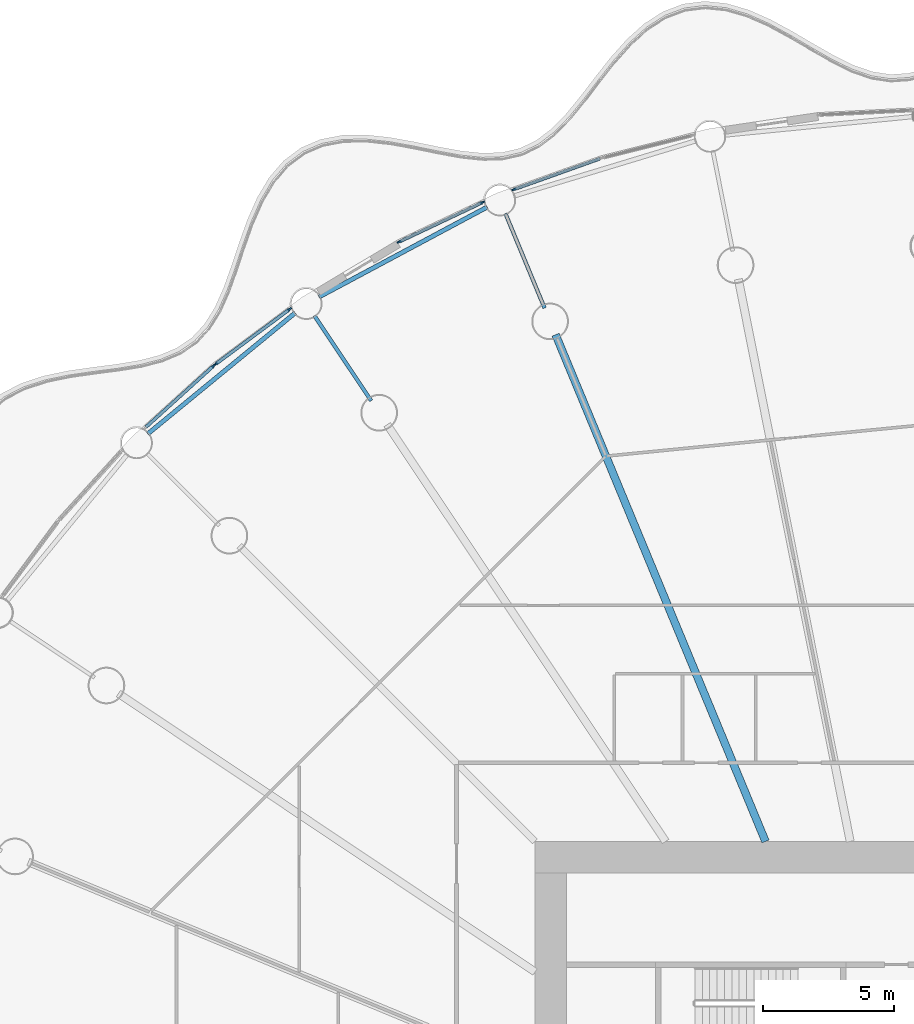
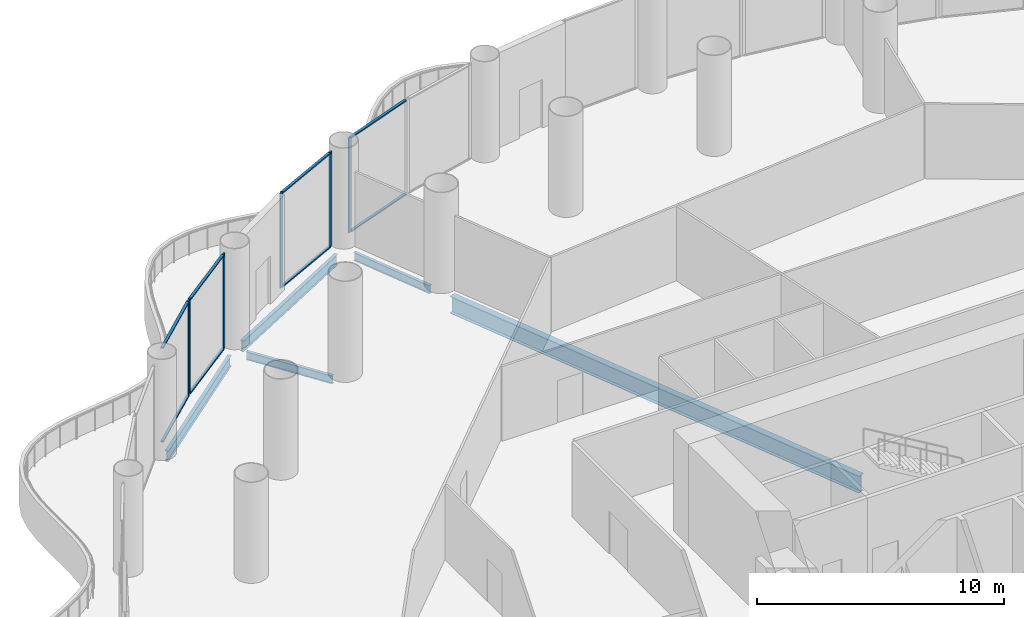
# One storey, part 15 of 35: 14 members, 5 beams, 4 elements without a shape of their own.
"""IFC4 building model written with IfcOpenShell, lengths in metres."""

from ifc_helpers import new_model, si_unit, direction, frame, origin, origin_2d, place, context, subcontext, project, spatial, rectangle, i_section, extrude, material, material_profile, profile_set, type_object, element, aggregate, save


model = new_model("IFC4")

# Units and contexts
model_context = context("Model", 3, precision=1e-05, world=origin(), true_north=direction((0.0, 1.0)))
body_context = subcontext(model_context, "Body", "Model", "MODEL_VIEW")
ifc_project = project(units=[si_unit("LENGTHUNIT", "METRE"), si_unit("AREAUNIT", "SQUARE_METRE"), si_unit("VOLUMEUNIT", "CUBIC_METRE"), si_unit("PLANEANGLEUNIT", "RADIAN"), si_unit("MASSUNIT", "GRAM", prefix="KILO")], contexts=[model_context])

# Site, building, storey
site_placement = place(None, origin())
site = spatial("IfcSite", under=ifc_project, at=site_placement, CompositionType="ELEMENT")
building_placement = place(site_placement, origin())
building = spatial("IfcBuilding", under=site, at=building_placement, Name="Corvane Civic Tower", CompositionType="ELEMENT")
storey_placement = place(building_placement, frame((0.0, 0.0, 27.0)))
storey = spatial("IfcBuildingStorey", under=building, at=storey_placement, Name="L05", CompositionType="ELEMENT", Elevation=27.0)

# Beams
ifc_material_1 = material(Name="Steel ASTM A992 Gr 50", Category="steel")
ifc_material_profile_1 = material_profile(ifc_material_1, i_section(OverallWidth=0.165771484375, OverallDepth=0.5283203125, WebThickness=0.009765625, FlangeThickness=0.013671875, at=origin_2d()), Name="W21X50")
ifc_profile_set_1 = profile_set([ifc_material_profile_1], Name="Steel ASTM A992 Gr 50")
beam_type_1 = type_object("IfcBeamType", Name="EDGE BEAM W21X50", PredefinedType="BEAM", material=ifc_profile_set_1)
for number, where, z_axis, x_axis, name in (
    (1, (-29.768310546875, 30.542236328125, -0.564208984375), (0.773007924807, 0.634396365205, 0.0), (-0.634396365205, 0.773007924807, 0.0), "BM-L05-E29"),
    (2, (-23.23779296875, 35.762939453125, -0.564208984375), (0.881912894916, 0.471412394598, 0.0), (-0.471412394598, 0.881912894916, 0.0), "BM-L05-E30"),
):
    element("IfcBeam", number, at=place(storey_placement, frame(where, z_axis=z_axis, x_axis=x_axis)), inside=storey, type_object=beam_type_1, Name=name, PredefinedType="BEAM", context=body_context, shape_type="SweptSolid", body=[
        extrude(i_section(OverallWidth=0.165771484375, OverallDepth=0.5283203125, WebThickness=0.009765625, FlangeThickness=0.013671875, at=origin_2d()), origin(), (0.0, 0.0, 1.0), 7.270751953125),
    ])
ifc_material_2 = material(Name="Steel ASTM A992 Gr 50", Category="steel")
ifc_material_profile_2 = material_profile(ifc_material_2, i_section(OverallWidth=0.140380859375, OverallDepth=0.40380859375, WebThickness=0.007080078125, FlangeThickness=0.01123046875, at=origin_2d()), Name="W16X31")
ifc_profile_set_2 = profile_set([ifc_material_profile_2], Name="Steel ASTM A992 Gr 50")
beam_type_2 = type_object("IfcBeamType", Name="FLOOR GIRDER W16X31", PredefinedType="BEAM", material=ifc_profile_set_2)
for number, where, z_axis, x_axis, name in (
    (3, (-21.25048828125, 31.8037109375, -0.501953125), (-0.555581110199, 0.831462344301, 0.0), (-0.831462344301, -0.555581110199, 0.0), "BM-L05-G30b"),
    (4, (-14.6376953125, 35.33837890625, -0.501953125), (-0.382685369162, 0.923878730261, 0.0), (-0.923878730261, -0.382685369162, 0.0), "BM-L05-G31b"),
):
    element("IfcBeam", number, at=place(storey_placement, frame(where, z_axis=z_axis, x_axis=x_axis)), inside=storey, type_object=beam_type_2, Name=name, PredefinedType="BEAM", context=body_context, shape_type="SweptSolid", body=[
        extrude(i_section(OverallWidth=0.140380859375, OverallDepth=0.40380859375, WebThickness=0.007080078125, FlangeThickness=0.01123046875, at=origin_2d()), origin(), (0.0, 0.0, 1.0), 3.89990234375),
    ])
ifc_material_3 = material(Name="Steel ASTM A992 Gr 50", Category="steel")
ifc_material_profile_3 = material_profile(ifc_material_3, i_section(OverallWidth=0.2919921875, OverallDepth=0.845703125, WebThickness=0.015380859375, FlangeThickness=0.0244140625, at=origin_2d()), Name="W33X141")
ifc_profile_set_3 = profile_set([ifc_material_profile_3], Name="Steel ASTM A992 Gr 50")
beam_type_3 = type_object("IfcBeamType", Name="FLOOR GIRDER W33X141", PredefinedType="BEAM", material=ifc_profile_set_3)
beam_placement = place(storey_placement, frame((-6.213134765625, 15.0, -0.722900390625), z_axis=(-0.382692360381, 0.923875834355, 0.0), x_axis=(-0.923875834355, -0.382692360381, 0.0)))
element("IfcBeam", 5, at=beam_placement, inside=storey, type_object=beam_type_3, Name="BM-L05-G31", PredefinedType="BEAM", context=body_context, shape_type="SweptSolid", body=[
    extrude(i_section(OverallWidth=0.2919921875, OverallDepth=0.845703125, WebThickness=0.015380859375, FlangeThickness=0.0244140625, at=origin_2d()), origin(), (0.0, 0.0, 1.0), 20.9140625),
])

# Curtain wall, member
ifc_material_4 = material(Name="Aluminium and glass", Category="aluminium")
curtain_wall_type = type_object("IfcCurtainWallType", Name="PODIUM-CW-P-RUN", PredefinedType="NOTDEFINED", material=ifc_material_4)
curtain_wall_1_placement = place(storey_placement, origin())
curtain_wall_1 = element("IfcCurtainWall", 6, at=curtain_wall_1_placement, inside=storey, type_object=curtain_wall_type, Name="PODI run L05-drum-29A", PredefinedType="NOTDEFINED")
ifc_material_5 = material(Name="Anodised aluminium bronze", Category="aluminium")
ifc_material_profile_4 = material_profile(ifc_material_5, rectangle(XDim=0.06005859375, YDim=0.159912109375, at=origin_2d()), Name="AL 60x160")
ifc_profile_set_4 = profile_set([ifc_material_profile_4], Name="Anodised aluminium bronze")
member_type_1 = type_object("IfcMemberType", Name="PODIUM-CWP-MULLION-60x160", PredefinedType="MULLION", material=ifc_profile_set_4)
member_1_placement = place(storey_placement, frame((-27.25537109375, 33.13916015625, 0.0), z_axis=(0.0, 0.0, 1.0), x_axis=(-0.671576457952, 0.740935261089, 0.0)))
member_1 = element("IfcMember", 7, at=member_1_placement, type_object=member_type_1, Name="CW-P mullion 2", PredefinedType="MULLION", context=body_context, shape_type="SweptSolid", body=[
    extrude(rectangle(XDim=0.06005859375, YDim=0.159912109375, at=origin_2d()), origin(), (0.0, 0.0, 1.0), 4.699951171875),
])

# Curtain wall, members
curtain_wall_2_placement = place(storey_placement, origin())
curtain_wall_2 = element("IfcCurtainWall", 8, at=curtain_wall_2_placement, inside=storey, type_object=curtain_wall_type, Name="PODI run L05-drum-29B", PredefinedType="NOTDEFINED")
member_2_placement = place(storey_placement, frame((-27.18505859375, 33.197021484375, 0.0), z_axis=(0.0, 0.0, 1.0), x_axis=(-0.595705104665, 0.803203229747, 0.0)))
member_2 = element("IfcMember", 9, at=member_2_placement, type_object=member_type_1, Name="CW-P mullion 1", PredefinedType="MULLION", context=body_context, shape_type="SweptSolid", body=[
    extrude(rectangle(XDim=0.06005859375, YDim=0.159912109375, at=origin_2d()), origin(), (0.0, 0.0, 1.0), 4.699951171875),
])
member_3_placement = place(storey_placement, frame((-24.35791015625, 35.293701171875, 0.0), z_axis=(0.0, 0.0, 1.0), x_axis=(-0.595705104665, 0.803203229747, 0.0)))
member_3 = element("IfcMember", 10, at=member_3_placement, type_object=member_type_1, Name="CW-P mullion 2", PredefinedType="MULLION", context=body_context, shape_type="SweptSolid", body=[
    extrude(rectangle(XDim=0.06005859375, YDim=0.159912109375, at=origin_2d()), origin(), (0.0, 0.0, 1.0), 4.699951171875),
])

curtain_wall_3_placement = place(storey_placement, origin())
curtain_wall_3 = element("IfcCurtainWall", 11, at=curtain_wall_3_placement, inside=storey, type_object=curtain_wall_type, Name="PODI run L05-drum-30B", PredefinedType="NOTDEFINED")
member_4_placement = place(storey_placement, frame((-20.186279296875, 37.862548828125, 0.0), z_axis=(0.0, 0.0, 1.0), x_axis=(-0.42755312852, 0.903990222454, 0.0)))
member_4 = element("IfcMember", 12, at=member_4_placement, type_object=member_type_1, Name="CW-P mullion 1", PredefinedType="MULLION", context=body_context, shape_type="SweptSolid", body=[
    extrude(rectangle(XDim=0.06005859375, YDim=0.159912109375, at=origin_2d()), origin(), (0.0, 0.0, 1.0), 4.699951171875),
])
member_5_placement = place(storey_placement, frame((-17.00439453125, 39.36767578125, 0.0), z_axis=(0.0, 0.0, 1.0), x_axis=(-0.42755312852, 0.903990222454, 0.0)))
member_5 = element("IfcMember", 13, at=member_5_placement, type_object=member_type_1, Name="CW-P mullion 2", PredefinedType="MULLION", context=body_context, shape_type="SweptSolid", body=[
    extrude(rectangle(XDim=0.06005859375, YDim=0.159912109375, at=origin_2d()), origin(), (0.0, 0.0, 1.0), 4.699951171875),
])

# Curtain wall, member
curtain_wall_4_placement = place(storey_placement, origin())
curtain_wall_4 = element("IfcCurtainWall", 14, at=curtain_wall_4_placement, inside=storey, type_object=curtain_wall_type, Name="PODI run L05-drum-31A", PredefinedType="NOTDEFINED")
member_6_placement = place(storey_placement, frame((-15.81298828125, 39.861083984375, 0.0), z_axis=(0.0, 0.0, 1.0), x_axis=(-0.336918534123, 0.941533802561, 0.0)))
member_6 = element("IfcMember", 15, at=member_6_placement, type_object=member_type_1, Name="CW-P mullion 1", PredefinedType="MULLION", context=body_context, shape_type="SweptSolid", body=[
    extrude(rectangle(XDim=0.06005859375, YDim=0.159912109375, at=origin_2d()), origin(), (0.0, 0.0, 1.0), 4.699951171875),
])

# Member
ifc_material_6 = material(Name="Anodised aluminium bronze", Category="aluminium")
ifc_material_profile_5 = material_profile(ifc_material_6, rectangle(XDim=0.1201171875, YDim=0.06005859375, at=origin_2d()), Name="AL 120x60")
ifc_profile_set_5 = profile_set([ifc_material_profile_5], Name="Anodised aluminium bronze")
member_type_2 = type_object("IfcMemberType", Name="PODIUM-CWP-TRANSOM-60x120", PredefinedType="USERDEFINED", material=ifc_profile_set_5)
member_7_placement = place(storey_placement, frame((-29.84130859375, 30.79541015625, 0.030029296875), z_axis=(0.740935382865, 0.671576323599, 0.0), x_axis=(-0.671576323599, 0.740935382865, 0.0)))
member_7 = element("IfcMember", 16, at=member_7_placement, type_object=member_type_2, Name="CW-P transom 1.1", ObjectType="TRANSOM", PredefinedType="USERDEFINED", context=body_context, shape_type="SweptSolid", body=[
    extrude(rectangle(XDim=0.1201171875, YDim=0.06005859375, at=origin_2d()), origin(), (0.0, 0.0, 1.0), 3.460205078125),
])

member_8_placement = place(storey_placement, frame((-29.84130859375, 30.79541015625, 4.669921875), z_axis=(0.740935382865, 0.671576323599, 0.0), x_axis=(-0.671576323599, 0.740935382865, 0.0)))
member_8 = element("IfcMember", 17, at=member_8_placement, type_object=member_type_2, Name="CW-P transom 1.2", ObjectType="TRANSOM", PredefinedType="USERDEFINED", context=body_context, shape_type="SweptSolid", body=[
    extrude(rectangle(XDim=0.1201171875, YDim=0.06005859375, at=origin_2d()), origin(), (0.0, 0.0, 1.0), 3.460205078125),
])

aggregate(curtain_wall_1, [member_1, member_7, member_8])

member_9_placement = place(storey_placement, frame((-27.160888671875, 33.21484375, 0.030029296875), z_axis=(0.803189518598, 0.595723591285, 0.0), x_axis=(-0.595723591285, 0.803189518598, 0.0)))
member_9 = element("IfcMember", 18, at=member_9_placement, type_object=member_type_2, Name="CW-P transom 1.1", ObjectType="TRANSOM", PredefinedType="USERDEFINED", context=body_context, shape_type="SweptSolid", body=[
    extrude(rectangle(XDim=0.1201171875, YDim=0.06005859375, at=origin_2d()), origin(), (0.0, 0.0, 1.0), 3.459716796875),
])

member_10_placement = place(storey_placement, frame((-27.160888671875, 33.21484375, 4.669921875), z_axis=(0.803189518598, 0.595723591285, 0.0), x_axis=(-0.595723591285, 0.803189518598, 0.0)))
member_10 = element("IfcMember", 19, at=member_10_placement, type_object=member_type_2, Name="CW-P transom 1.2", ObjectType="TRANSOM", PredefinedType="USERDEFINED", context=body_context, shape_type="SweptSolid", body=[
    extrude(rectangle(XDim=0.1201171875, YDim=0.06005859375, at=origin_2d()), origin(), (0.0, 0.0, 1.0), 3.459716796875),
])

aggregate(curtain_wall_2, [member_2, member_3, member_9, member_10])

member_11_placement = place(storey_placement, frame((-20.1591796875, 37.87548828125, 0.030029296875), z_axis=(0.903993431638, 0.427546343166, 0.0), x_axis=(-0.427546343166, 0.903993431638, 0.0)))
member_11 = element("IfcMember", 20, at=member_11_placement, type_object=member_type_2, Name="CW-P transom 1.1", ObjectType="TRANSOM", PredefinedType="USERDEFINED", context=body_context, shape_type="SweptSolid", body=[
    extrude(rectangle(XDim=0.1201171875, YDim=0.06005859375, at=origin_2d()), origin(), (0.0, 0.0, 1.0), 3.4599609375),
])

member_12_placement = place(storey_placement, frame((-20.1591796875, 37.87548828125, 4.669921875), z_axis=(0.903993431638, 0.427546343166, 0.0), x_axis=(-0.427546343166, 0.903993431638, 0.0)))
member_12 = element("IfcMember", 21, at=member_12_placement, type_object=member_type_2, Name="CW-P transom 1.2", ObjectType="TRANSOM", PredefinedType="USERDEFINED", context=body_context, shape_type="SweptSolid", body=[
    extrude(rectangle(XDim=0.1201171875, YDim=0.06005859375, at=origin_2d()), origin(), (0.0, 0.0, 1.0), 3.4599609375),
])

aggregate(curtain_wall_3, [member_4, member_5, member_11, member_12])

member_13_placement = place(storey_placement, frame((-15.78466796875, 39.87109375, 0.030029296875), z_axis=(0.941526196838, 0.336939787896, 0.0), x_axis=(-0.336939787896, 0.941526196838, 0.0)))
member_13 = element("IfcMember", 22, at=member_13_placement, type_object=member_type_2, Name="CW-P transom 1.1", ObjectType="TRANSOM", PredefinedType="USERDEFINED", context=body_context, shape_type="SweptSolid", body=[
    extrude(rectangle(XDim=0.1201171875, YDim=0.06005859375, at=origin_2d()), origin(), (0.0, 0.0, 1.0), 3.4599609375),
])

member_14_placement = place(storey_placement, frame((-15.78466796875, 39.87109375, 4.669921875), z_axis=(0.941526196838, 0.336939787896, 0.0), x_axis=(-0.336939787896, 0.941526196838, 0.0)))
member_14 = element("IfcMember", 23, at=member_14_placement, type_object=member_type_2, Name="CW-P transom 1.2", ObjectType="TRANSOM", PredefinedType="USERDEFINED", context=body_context, shape_type="SweptSolid", body=[
    extrude(rectangle(XDim=0.1201171875, YDim=0.06005859375, at=origin_2d()), origin(), (0.0, 0.0, 1.0), 3.4599609375),
])

aggregate(curtain_wall_4, [member_6, member_13, member_14])

save(model, "model.ifc")
